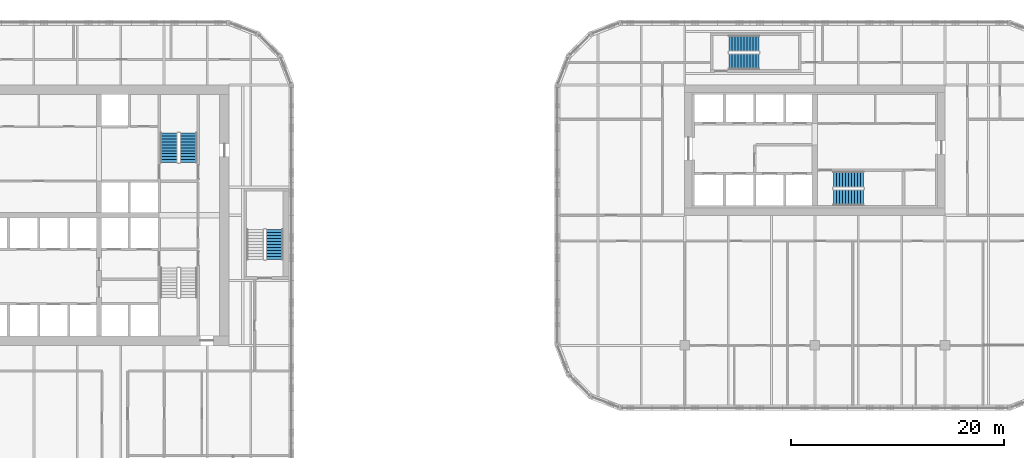
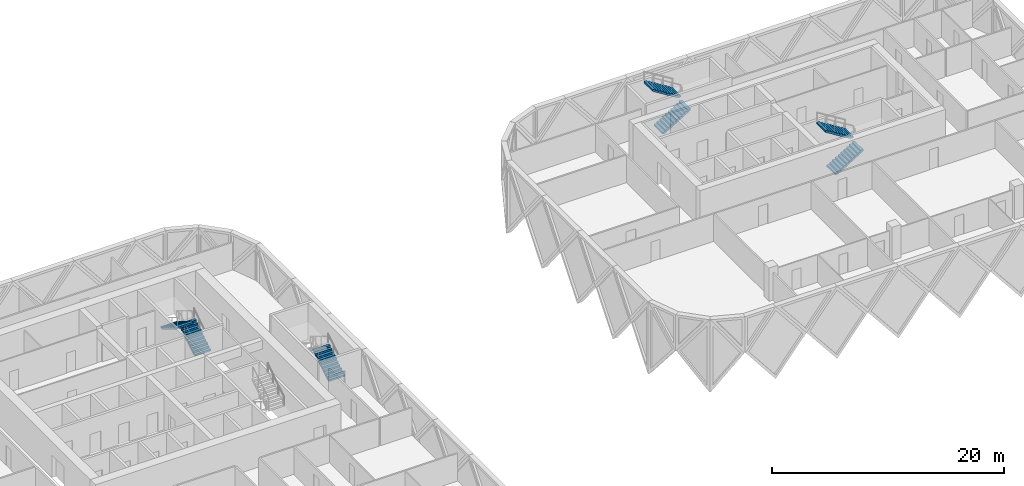
# One storey, part 22 of 24: 7 stair flights, 4 elements without a shape of their own.
"""IFC4 building model written with IfcOpenShell, lengths in metres."""

from ifc_helpers import new_model, si_unit, direction, frame, origin, place, context, subcontext, project, spatial, polyline, outline, extrude, material, type_object, element, aggregate, save


model = new_model("IFC4")

# Units and contexts
model_context = context("Model", 3, precision=1e-05, world=origin(), true_north=direction((0.0, 1.0)))
body_context = subcontext(model_context, "Body", "Model", "MODEL_VIEW")
ifc_project = project(units=[si_unit("LENGTHUNIT", "METRE"), si_unit("AREAUNIT", "SQUARE_METRE"), si_unit("VOLUMEUNIT", "CUBIC_METRE"), si_unit("PLANEANGLEUNIT", "RADIAN"), si_unit("MASSUNIT", "GRAM", prefix="KILO")], contexts=[model_context])

# Site, building, storey
site_placement = place(None, origin())
site = spatial("IfcSite", under=ifc_project, at=site_placement, CompositionType="ELEMENT")
building_placement = place(site_placement, origin())
building = spatial("IfcBuilding", under=site, at=building_placement, Name="Tessera Gate Towers", CompositionType="ELEMENT")
storey_placement = place(building_placement, frame((0.0, 0.0, 60.0)))
storey = spatial("IfcBuildingStorey", under=building, at=storey_placement, Name="L14", CompositionType="ELEMENT", Elevation=60.0)

# Stair, stair flights
ifc_material_1 = material(Name="Concrete C40/50", Category="concrete")
stair_type_1 = type_object("IfcStairType", Name="EXIT STAIR ST2 1600", PredefinedType="HALF_TURN_STAIR", material=ifc_material_1)
stair_1_placement = place(storey_placement, origin())
stair_1 = element("IfcStair", 1, at=stair_1_placement, inside=storey, type_object=stair_type_1, Name="L14 Protected Exit Stair ST2", PredefinedType="HALF_TURN_STAIR")
ifc_material_2 = material(Name="Concrete C40/50", Category="concrete")
stair_flight_type_1 = type_object("IfcStairFlightType", Name="EXIT STAIR FLIGHT ST2 1600", PredefinedType="STRAIGHT", material=ifc_material_2)
stair_flight_1_placement = place(storey_placement, frame((51.074951171875, 41.52490234375, 0.0), z_axis=(0.0, 0.0, 1.0), x_axis=(0.0, 1.0, 0.0)))
stair_flight_1 = element("IfcStairFlight", 2, at=stair_flight_1_placement, type_object=stair_flight_type_1, Name="ST2 flight 1", NumberOfRisers=11, NumberOfTreads=10, PredefinedType="STRAIGHT", RiserHeight=0.172727273, TreadLength=0.28, context=body_context, shape_type="SweptSolid", body=[
    extrude(outline(polyline([(0.0, 0.0), (0.0, 0.172607421875), (0.280029296875, 0.172607421875), (0.280029296875, 0.345458984375), (0.56005859375, 0.345458984375), (0.56005859375, 0.51806640625), (0.840087890625, 0.51806640625), (0.840087890625, 0.69091796875), (1.1201171875, 0.69091796875), (1.1201171875, 0.863525390625), (1.39990234375, 0.863525390625), (1.39990234375, 1.036376953125), (1.679931640625, 1.036376953125), (1.679931640625, 1.208984375), (1.9599609375, 1.208984375), (1.9599609375, 1.3818359375), (2.239990234375, 1.3818359375), (2.239990234375, 1.554443359375), (2.52001953125, 1.554443359375), (2.52001953125, 1.727294921875), (2.800048828125, 1.727294921875), (2.800048828125, 1.89990234375), (2.800048828125, 1.551025390625), (0.285400390625, 0.0), (0.0, 0.0)])), frame((0.0, 0.800048828125, 0.0), z_axis=(0.0, -1.0, 0.0), x_axis=(1.0, 0.0, 0.0)), (0.0, 0.0, 1.0), 1.60009765625),
])
stair_flight_2_placement = place(storey_placement, frame((49.27490234375, 44.324951171875, 1.89990234375), z_axis=(0.0, 0.0, 1.0), x_axis=(0.0, -1.0, 0.0)))
stair_flight_2 = element("IfcStairFlight", 3, at=stair_flight_2_placement, type_object=stair_flight_type_1, Name="ST2 flight 2", NumberOfRisers=11, NumberOfTreads=10, PredefinedType="STRAIGHT", RiserHeight=0.172727273, TreadLength=0.28, context=body_context, shape_type="SweptSolid", body=[
    extrude(outline(polyline([(0.0, 0.0), (0.0, 0.172607421875), (0.280029296875, 0.172607421875), (0.280029296875, 0.345458984375), (0.56005859375, 0.345458984375), (0.56005859375, 0.51806640625), (0.840087890625, 0.51806640625), (0.840087890625, 0.69091796875), (1.1201171875, 0.69091796875), (1.1201171875, 0.863525390625), (1.39990234375, 0.863525390625), (1.39990234375, 1.036376953125), (1.679931640625, 1.036376953125), (1.679931640625, 1.208984375), (1.9599609375, 1.208984375), (1.9599609375, 1.3818359375), (2.239990234375, 1.3818359375), (2.239990234375, 1.554443359375), (2.52001953125, 1.554443359375), (2.52001953125, 1.727294921875), (2.800048828125, 1.727294921875), (2.800048828125, 1.89990234375), (2.800048828125, 1.551025390625), (0.285400390625, 0.0), (0.0, 0.0)])), frame((0.0, 0.800048828125, 0.0), z_axis=(0.0, -1.0, 0.0), x_axis=(1.0, 0.0, 0.0)), (0.0, 0.0, 1.0), 1.60009765625),
])
aggregate(stair_1, [stair_flight_1, stair_flight_2])

# Stair, stair flight
ifc_material_3 = material(Name="Concrete C40/50", Category="concrete")
stair_type_2 = type_object("IfcStairType", Name="EXIT STAIR ST5 1600", PredefinedType="HALF_TURN_STAIR", material=ifc_material_3)
stair_2_placement = place(storey_placement, origin())
stair_2 = element("IfcStair", 4, at=stair_2_placement, inside=storey, type_object=stair_type_2, Name="L14 East Exit Stair ST5", PredefinedType="HALF_TURN_STAIR")
ifc_material_4 = material(Name="Concrete C40/50", Category="concrete")
stair_flight_type_2 = type_object("IfcStairFlightType", Name="EXIT STAIR FLIGHT ST5 1600", PredefinedType="STRAIGHT", material=ifc_material_4)
stair_flight_3_placement = place(storey_placement, frame((59.14990234375, 32.449951171875, 0.0), z_axis=(0.0, 0.0, 1.0), x_axis=(0.0, 1.0, 0.0)))
stair_flight_3 = element("IfcStairFlight", 5, at=stair_flight_3_placement, type_object=stair_flight_type_2, Name="ST5 flight 1", NumberOfRisers=11, NumberOfTreads=10, PredefinedType="STRAIGHT", RiserHeight=0.172727273, TreadLength=0.28, context=body_context, shape_type="SweptSolid", body=[
    extrude(outline(polyline([(0.0, 0.0), (0.0, 0.172607421875), (0.280029296875, 0.172607421875), (0.280029296875, 0.345458984375), (0.56005859375, 0.345458984375), (0.56005859375, 0.51806640625), (0.840087890625, 0.51806640625), (0.840087890625, 0.69091796875), (1.1201171875, 0.69091796875), (1.1201171875, 0.863525390625), (1.39990234375, 0.863525390625), (1.39990234375, 1.036376953125), (1.679931640625, 1.036376953125), (1.679931640625, 1.208984375), (1.9599609375, 1.208984375), (1.9599609375, 1.3818359375), (2.239990234375, 1.3818359375), (2.239990234375, 1.554443359375), (2.52001953125, 1.554443359375), (2.52001953125, 1.727294921875), (2.800048828125, 1.727294921875), (2.800048828125, 1.89990234375), (2.800048828125, 1.551025390625), (0.285400390625, 0.0), (0.0, 0.0)])), frame((0.0, 0.800048828125, 0.0), z_axis=(0.0, -1.0, 0.0), x_axis=(1.0, 0.0, 0.0)), (0.0, 0.0, 1.0), 1.60009765625),
])
aggregate(stair_2, [stair_flight_3])

# Stair, stair flights
ifc_material_5 = material(Name="Concrete C40/50", Category="concrete")
stair_type_3 = type_object("IfcStairType", Name="EXIT STAIR ST6 1500", PredefinedType="HALF_TURN_STAIR", material=ifc_material_5)
stair_3_placement = place(storey_placement, origin())
stair_3 = element("IfcStair", 6, at=stair_3_placement, inside=storey, type_object=stair_type_3, Name="L14 Protected Exit Stair ST6", PredefinedType="HALF_TURN_STAIR")
ifc_material_6 = material(Name="Concrete C40/50", Category="concrete")
stair_flight_type_3 = type_object("IfcStairFlightType", Name="EXIT STAIR FLIGHT ST6 1500", PredefinedType="STRAIGHT", material=ifc_material_6)
stair_flight_4_placement = place(storey_placement, frame((111.550048828125, 38.25, 0.0), z_axis=(0.0, 0.0, 1.0), x_axis=(1.0, 0.0, 0.0)))
stair_flight_4 = element("IfcStairFlight", 7, at=stair_flight_4_placement, type_object=stair_flight_type_3, Name="ST6 flight 1", NumberOfRisers=11, NumberOfTreads=10, PredefinedType="STRAIGHT", RiserHeight=0.172727273, TreadLength=0.28, context=body_context, shape_type="SweptSolid", body=[
    extrude(outline(polyline([(0.0, 0.0), (0.0, 0.172607421875), (0.280029296875, 0.172607421875), (0.280029296875, 0.345458984375), (0.56005859375, 0.345458984375), (0.56005859375, 0.51806640625), (0.840087890625, 0.51806640625), (0.840087890625, 0.69091796875), (1.1201171875, 0.69091796875), (1.1201171875, 0.863525390625), (1.39990234375, 0.863525390625), (1.39990234375, 1.036376953125), (1.679931640625, 1.036376953125), (1.679931640625, 1.208984375), (1.9599609375, 1.208984375), (1.9599609375, 1.3818359375), (2.239990234375, 1.3818359375), (2.239990234375, 1.554443359375), (2.52001953125, 1.554443359375), (2.52001953125, 1.727294921875), (2.800048828125, 1.727294921875), (2.800048828125, 1.89990234375), (2.800048828125, 1.551025390625), (0.285400390625, 0.0), (0.0, 0.0)])), frame((0.0, 0.75, 0.0), z_axis=(0.0, -1.0, 0.0), x_axis=(1.0, 0.0, 0.0)), (0.0, 0.0, 1.0), 1.5),
])
stair_flight_5_placement = place(storey_placement, frame((114.35009765625, 39.949951171875, 1.89990234375), z_axis=(0.0, 0.0, 1.0), x_axis=(-1.0, 0.0, 0.0)))
stair_flight_5 = element("IfcStairFlight", 8, at=stair_flight_5_placement, type_object=stair_flight_type_3, Name="ST6 flight 2", NumberOfRisers=11, NumberOfTreads=10, PredefinedType="STRAIGHT", RiserHeight=0.172727273, TreadLength=0.28, context=body_context, shape_type="SweptSolid", body=[
    extrude(outline(polyline([(0.0, 0.0), (0.0, 0.172607421875), (0.280029296875, 0.172607421875), (0.280029296875, 0.345458984375), (0.56005859375, 0.345458984375), (0.56005859375, 0.51806640625), (0.840087890625, 0.51806640625), (0.840087890625, 0.69091796875), (1.1201171875, 0.69091796875), (1.1201171875, 0.863525390625), (1.39990234375, 0.863525390625), (1.39990234375, 1.036376953125), (1.679931640625, 1.036376953125), (1.679931640625, 1.208984375), (1.9599609375, 1.208984375), (1.9599609375, 1.3818359375), (2.239990234375, 1.3818359375), (2.239990234375, 1.554443359375), (2.52001953125, 1.554443359375), (2.52001953125, 1.727294921875), (2.800048828125, 1.727294921875), (2.800048828125, 1.89990234375), (2.800048828125, 1.551025390625), (0.285400390625, 0.0), (0.0, 0.0)])), frame((0.0, 0.75, 0.0), z_axis=(0.0, -1.0, 0.0), x_axis=(1.0, 0.0, 0.0)), (0.0, 0.0, 1.0), 1.5),
])
aggregate(stair_3, [stair_flight_4, stair_flight_5])

ifc_material_7 = material(Name="Concrete C40/50", Category="concrete")
stair_type_4 = type_object("IfcStairType", Name="EXIT STAIR ST7 1500", PredefinedType="HALF_TURN_STAIR", material=ifc_material_7)
stair_4_placement = place(storey_placement, origin())
stair_4 = element("IfcStair", 9, at=stair_4_placement, inside=storey, type_object=stair_type_4, Name="L14 North Exit Stair ST7", PredefinedType="HALF_TURN_STAIR")
ifc_material_8 = material(Name="Concrete C40/50", Category="concrete")
stair_flight_type_4 = type_object("IfcStairFlightType", Name="EXIT STAIR FLIGHT ST7 1500", PredefinedType="STRAIGHT", material=ifc_material_8)
stair_flight_6_placement = place(storey_placement, frame((101.75, 51.0, 0.0), z_axis=(0.0, 0.0, 1.0), x_axis=(1.0, 0.0, 0.0)))
stair_flight_6 = element("IfcStairFlight", 10, at=stair_flight_6_placement, type_object=stair_flight_type_4, Name="ST7 flight 1", NumberOfRisers=11, NumberOfTreads=10, PredefinedType="STRAIGHT", RiserHeight=0.172727273, TreadLength=0.28, context=body_context, shape_type="SweptSolid", body=[
    extrude(outline(polyline([(0.0, 0.0), (0.0, 0.172607421875), (0.280029296875, 0.172607421875), (0.280029296875, 0.345458984375), (0.56005859375, 0.345458984375), (0.56005859375, 0.51806640625), (0.840087890625, 0.51806640625), (0.840087890625, 0.69091796875), (1.1201171875, 0.69091796875), (1.1201171875, 0.863525390625), (1.39990234375, 0.863525390625), (1.39990234375, 1.036376953125), (1.679931640625, 1.036376953125), (1.679931640625, 1.208984375), (1.9599609375, 1.208984375), (1.9599609375, 1.3818359375), (2.239990234375, 1.3818359375), (2.239990234375, 1.554443359375), (2.52001953125, 1.554443359375), (2.52001953125, 1.727294921875), (2.800048828125, 1.727294921875), (2.800048828125, 1.89990234375), (2.800048828125, 1.551025390625), (0.285400390625, 0.0), (0.0, 0.0)])), frame((0.0, 0.75, 0.0), z_axis=(0.0, -1.0, 0.0), x_axis=(1.0, 0.0, 0.0)), (0.0, 0.0, 1.0), 1.5),
])
stair_flight_7_placement = place(storey_placement, frame((104.550048828125, 52.699951171875, 1.89990234375), z_axis=(0.0, 0.0, 1.0), x_axis=(-1.0, 0.0, 0.0)))
stair_flight_7 = element("IfcStairFlight", 11, at=stair_flight_7_placement, type_object=stair_flight_type_4, Name="ST7 flight 2", NumberOfRisers=11, NumberOfTreads=10, PredefinedType="STRAIGHT", RiserHeight=0.172727273, TreadLength=0.28, context=body_context, shape_type="SweptSolid", body=[
    extrude(outline(polyline([(0.0, 0.0), (0.0, 0.172607421875), (0.280029296875, 0.172607421875), (0.280029296875, 0.345458984375), (0.56005859375, 0.345458984375), (0.56005859375, 0.51806640625), (0.840087890625, 0.51806640625), (0.840087890625, 0.69091796875), (1.1201171875, 0.69091796875), (1.1201171875, 0.863525390625), (1.39990234375, 0.863525390625), (1.39990234375, 1.036376953125), (1.679931640625, 1.036376953125), (1.679931640625, 1.208984375), (1.9599609375, 1.208984375), (1.9599609375, 1.3818359375), (2.239990234375, 1.3818359375), (2.239990234375, 1.554443359375), (2.52001953125, 1.554443359375), (2.52001953125, 1.727294921875), (2.800048828125, 1.727294921875), (2.800048828125, 1.89990234375), (2.800048828125, 1.551025390625), (0.285400390625, 0.0), (0.0, 0.0)])), frame((0.0, 0.75, 0.0), z_axis=(0.0, -1.0, 0.0), x_axis=(1.0, 0.0, 0.0)), (0.0, 0.0, 1.0), 1.5),
])
aggregate(stair_4, [stair_flight_6, stair_flight_7])

save(model, "model.ifc")
